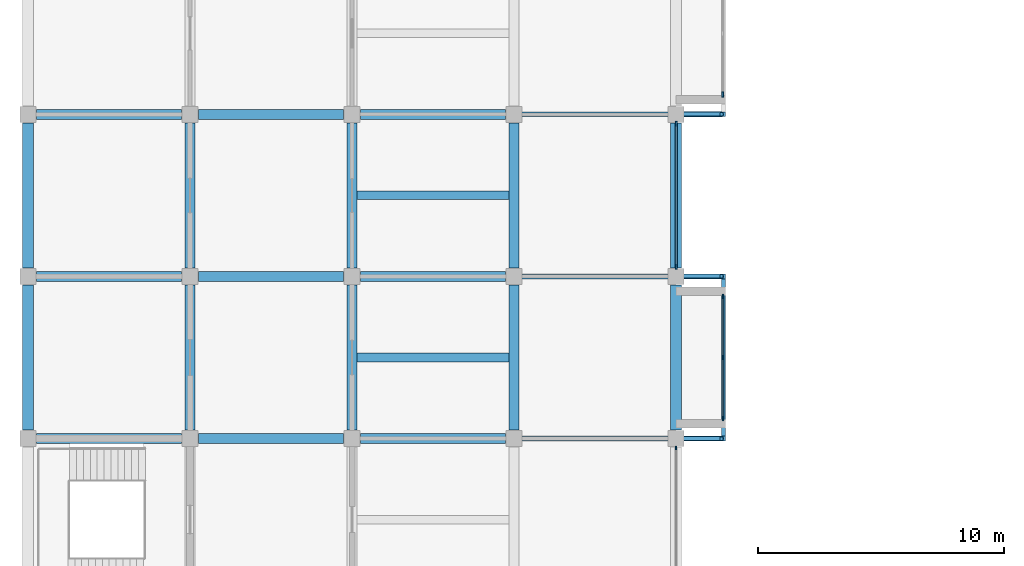
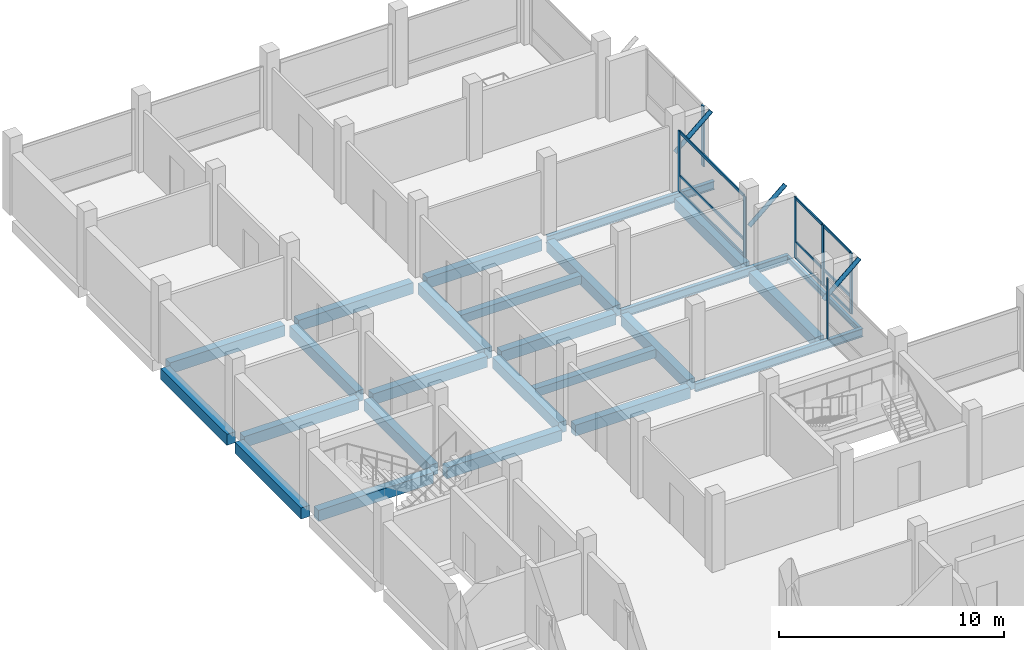
# One storey, part 4 of 10: 25 beams, 19 members, 4 elements without a shape of their own.
"""IFC4 building model written with IfcOpenShell, lengths in metres."""

from ifc_helpers import new_model, si_unit, direction, frame, origin, origin_2d, place, context, subcontext, project, spatial, rectangle, hollow_circle, i_section, extrude, material, material_profile, profile_set, type_object, element, aggregate, save


model = new_model("IFC4")

# Units and contexts
model_context = context("Model", 3, precision=1e-05, world=origin(), true_north=direction((0.0, 1.0)))
body_context = subcontext(model_context, "Body", "Model", "MODEL_VIEW")
ifc_project = project(units=[si_unit("LENGTHUNIT", "METRE"), si_unit("AREAUNIT", "SQUARE_METRE"), si_unit("VOLUMEUNIT", "CUBIC_METRE"), si_unit("PLANEANGLEUNIT", "RADIAN"), si_unit("MASSUNIT", "GRAM", prefix="KILO")], contexts=[model_context])

# Site, building, storey
site_placement = place(None, origin())
site = spatial("IfcSite", under=ifc_project, at=site_placement, CompositionType="ELEMENT")
building_placement = place(site_placement, origin())
building = spatial("IfcBuilding", under=site, at=building_placement, Name="Rusizi Kubbe Research Institute", CompositionType="ELEMENT")
storey_placement = place(building_placement, frame((0.0, 0.0, 52.199951171875)))
storey = spatial("IfcBuildingStorey", under=building, at=storey_placement, Name="L12", CompositionType="ELEMENT", Elevation=52.199951171875)

# Beams
ifc_material_1 = material(Name="Steel S355", Category="steel")
ifc_material_profile_1 = material_profile(ifc_material_1, i_section(OverallWidth=0.14990234375, OverallDepth=0.300048828125, WebThickness=0.007080078125, FlangeThickness=0.0107421875, at=origin_2d()), Name="IPE 300")
ifc_profile_set_1 = profile_set([ifc_material_profile_1], Name="Steel S355")
beam_type_1 = type_object("IfcBeamType", Name="BM-IPE300", PredefinedType="BEAM", material=ifc_profile_set_1)
beam_1_placement = place(storey_placement, frame((28.324951171875, 33.094970703125, -0.4599609375), z_axis=(0.0, 1.0, 0.0), x_axis=(-1.0, 0.0, 0.0)))
element("IfcBeam", 1, at=beam_1_placement, inside=storey, type_object=beam_type_1, Name="Cumba Edge Tie Beam L12-1", PredefinedType="BEAM", context=body_context, shape_type="SweptSolid", body=[
    extrude(i_section(OverallWidth=0.14990234375, OverallDepth=0.300048828125, WebThickness=0.007080078125, FlangeThickness=0.0107421875, at=origin_2d()), origin(), (0.0, 0.0, 1.0), 6.409912109375),
])
ifc_material_2 = material(Name="Steel S355", Category="steel")
ifc_material_profile_2 = material_profile(ifc_material_2, i_section(OverallWidth=0.18994140625, OverallDepth=0.449951171875, WebThickness=0.009521484375, FlangeThickness=0.0146484375, at=origin_2d()), Name="IPE 450")
ifc_profile_set_2 = profile_set([ifc_material_profile_2], Name="Steel S355")
beam_type_2 = type_object("IfcBeamType", Name="BM-IPE450", PredefinedType="BEAM", material=ifc_profile_set_2)
for number, where, z_axis, x_axis, name in (
    (2, (19.800048828125, 33.0, -0.534912109375), (1.0, 0.0, 0.0), (0.0, 1.0, 0.0), "Cumba Back-Spanned Cantilever Beam L12-1S"),
    (3, (19.800048828125, 39.60009765625, -0.534912109375), (1.0, 0.0, 0.0), (0.0, 1.0, 0.0), "Cumba Back-Spanned Cantilever Beam L12-1N"),
    (4, (19.800048828125, 46.199951171875, -0.534912109375), (1.0, 0.0, 0.0), (0.0, 1.0, 0.0), "Cumba Back-Spanned Cantilever Beam L12-2S"),
):
    element("IfcBeam", number, at=place(storey_placement, frame(where, z_axis=z_axis, x_axis=x_axis)), inside=storey, type_object=beam_type_2, Name=name, PredefinedType="BEAM", context=body_context, shape_type="SweptSolid", body=[
        extrude(i_section(OverallWidth=0.18994140625, OverallDepth=0.449951171875, WebThickness=0.009521484375, FlangeThickness=0.0146484375, at=origin_2d()), origin(), (0.0, 0.0, 1.0), 8.599853515625),
    ])
ifc_material_3 = material(Name="Concrete C40/50", Category="concrete")
ifc_material_profile_3 = material_profile(ifc_material_3, rectangle(XDim=0.35009765625, YDim=0.449951171875, at=origin_2d()), Name="RC350x450")
ifc_profile_set_3 = profile_set([ifc_material_profile_3], Name="Concrete C40/50")
beam_type_3 = type_object("IfcBeamType", Name="BM-RC350x450", PredefinedType="JOIST", material=ifc_profile_set_3)
for number, where, z_axis, x_axis, name in (
    (5, (13.39990234375, 36.300048828125, -0.534912109375), (1.0, 0.0, 0.0), (0.0, 1.0, 0.0), "Lab Stiffener Joist L12 (2,5)"),
    (6, (13.39990234375, 42.89990234375, -0.534912109375), (1.0, 0.0, 0.0), (0.0, 1.0, 0.0), "Lab Stiffener Joist L12 (2,6)"),
):
    element("IfcBeam", number, at=place(storey_placement, frame(where, z_axis=z_axis, x_axis=x_axis)), inside=storey, type_object=beam_type_3, Name=name, PredefinedType="JOIST", context=body_context, shape_type="SweptSolid", body=[
        extrude(rectangle(XDim=0.35009765625, YDim=0.449951171875, at=origin_2d()), origin(), (0.0, 0.0, 1.0), 6.2001953125),
    ])
ifc_material_4 = material(Name="Concrete C40/50", Category="concrete")
ifc_material_profile_4 = material_profile(ifc_material_4, rectangle(XDim=0.39990234375, YDim=0.60009765625, at=origin_2d()), Name="RC400x600")
ifc_profile_set_4 = profile_set([ifc_material_profile_4], Name="Concrete C40/50")
beam_type_4 = type_object("IfcBeamType", Name="BM-RC400x600", PredefinedType="BEAM", material=ifc_profile_set_4)
for number, where, z_axis, x_axis, name in (
    (7, (0.35009765625, 33.0, -0.60986328125), (1.0, 0.0, 0.0), (0.0, 1.0, 0.0), "Grid Beam H L12 (0,5)"),
    (8, (0.35009765625, 39.60009765625, -0.60986328125), (1.0, 0.0, 0.0), (0.0, 1.0, 0.0), "Grid Beam H L12 (0,6)"),
    (9, (0.35009765625, 46.199951171875, -0.60986328125), (1.0, 0.0, 0.0), (0.0, 1.0, 0.0), "Grid Beam H L12 (0,7)"),
):
    element("IfcBeam", number, at=place(storey_placement, frame(where, z_axis=z_axis, x_axis=x_axis)), inside=storey, type_object=beam_type_4, Name=name, PredefinedType="BEAM", context=body_context, shape_type="SweptSolid", body=[
        extrude(rectangle(XDim=0.39990234375, YDim=0.60009765625, at=origin_2d()), origin(), (0.0, 0.0, 1.0), 5.89990234375),
    ])
for number, where, z_axis, x_axis, name in (
    (10, (6.949951171875, 33.0, -0.60986328125), (1.0, 0.0, 0.0), (0.0, 1.0, 0.0), "Grid Beam H L12 (1,5)"),
    (11, (6.949951171875, 39.60009765625, -0.60986328125), (1.0, 0.0, 0.0), (0.0, 1.0, 0.0), "Grid Beam H L12 (1,6)"),
    (12, (6.949951171875, 46.199951171875, -0.60986328125), (1.0, 0.0, 0.0), (0.0, 1.0, 0.0), "Grid Beam H L12 (1,7)"),
):
    element("IfcBeam", number, at=place(storey_placement, frame(where, z_axis=z_axis, x_axis=x_axis)), inside=storey, type_object=beam_type_4, Name=name, PredefinedType="BEAM", context=body_context, shape_type="SweptSolid", body=[
        extrude(rectangle(XDim=0.39990234375, YDim=0.60009765625, at=origin_2d()), origin(), (0.0, 0.0, 1.0), 5.900146484375),
    ])
for number, where, z_axis, x_axis, name in (
    (13, (13.550048828125, 33.0, -0.60986328125), (1.0, 0.0, 0.0), (0.0, 1.0, 0.0), "Grid Beam H L12 (2,5)"),
    (14, (13.550048828125, 39.60009765625, -0.60986328125), (1.0, 0.0, 0.0), (0.0, 1.0, 0.0), "Grid Beam H L12 (2,6)"),
    (15, (13.550048828125, 46.199951171875, -0.60986328125), (1.0, 0.0, 0.0), (0.0, 1.0, 0.0), "Grid Beam H L12 (2,7)"),
    (16, (6.60009765625, 33.35009765625, -0.60986328125), (0.0, 1.0, 0.0), (-1.0, 0.0, 0.0), "Grid Beam V L12 (1,5)"),
):
    element("IfcBeam", number, at=place(storey_placement, frame(where, z_axis=z_axis, x_axis=x_axis)), inside=storey, type_object=beam_type_4, Name=name, PredefinedType="BEAM", context=body_context, shape_type="SweptSolid", body=[
        extrude(rectangle(XDim=0.39990234375, YDim=0.60009765625, at=origin_2d()), origin(), (0.0, 0.0, 1.0), 5.89990234375),
    ])
beam_2_placement = place(storey_placement, frame((6.60009765625, 39.949951171875, -0.60986328125), z_axis=(0.0, 1.0, 0.0), x_axis=(-1.0, 0.0, 0.0)))
element("IfcBeam", 17, at=beam_2_placement, inside=storey, type_object=beam_type_4, Name="Grid Beam V L12 (1,6)", PredefinedType="BEAM", context=body_context, shape_type="SweptSolid", body=[
    extrude(rectangle(XDim=0.39990234375, YDim=0.60009765625, at=origin_2d()), origin(), (0.0, 0.0, 1.0), 5.900146484375),
])
beam_3_placement = place(storey_placement, frame((13.199951171875, 33.35009765625, -0.60986328125), z_axis=(0.0, 1.0, 0.0), x_axis=(-1.0, 0.0, 0.0)))
element("IfcBeam", 18, at=beam_3_placement, inside=storey, type_object=beam_type_4, Name="Grid Beam V L12 (2,5)", PredefinedType="BEAM", context=body_context, shape_type="SweptSolid", body=[
    extrude(rectangle(XDim=0.39990234375, YDim=0.60009765625, at=origin_2d()), origin(), (0.0, 0.0, 1.0), 5.89990234375),
])
beam_4_placement = place(storey_placement, frame((13.199951171875, 39.949951171875, -0.60986328125), z_axis=(0.0, 1.0, 0.0), x_axis=(-1.0, 0.0, 0.0)))
element("IfcBeam", 19, at=beam_4_placement, inside=storey, type_object=beam_type_4, Name="Grid Beam V L12 (2,6)", PredefinedType="BEAM", context=body_context, shape_type="SweptSolid", body=[
    extrude(rectangle(XDim=0.39990234375, YDim=0.60009765625, at=origin_2d()), origin(), (0.0, 0.0, 1.0), 5.900146484375),
])
beam_5_placement = place(storey_placement, frame((19.800048828125, 33.35009765625, -0.60986328125), z_axis=(0.0, 1.0, 0.0), x_axis=(-1.0, 0.0, 0.0)))
element("IfcBeam", 20, at=beam_5_placement, inside=storey, type_object=beam_type_4, Name="Grid Beam V L12 (3,5)", PredefinedType="BEAM", context=body_context, shape_type="SweptSolid", body=[
    extrude(rectangle(XDim=0.39990234375, YDim=0.60009765625, at=origin_2d()), origin(), (0.0, 0.0, 1.0), 5.89990234375),
])
beam_6_placement = place(storey_placement, frame((19.800048828125, 39.949951171875, -0.60986328125), z_axis=(0.0, 1.0, 0.0), x_axis=(-1.0, 0.0, 0.0)))
element("IfcBeam", 21, at=beam_6_placement, inside=storey, type_object=beam_type_4, Name="Grid Beam V L12 (3,6)", PredefinedType="BEAM", context=body_context, shape_type="SweptSolid", body=[
    extrude(rectangle(XDim=0.39990234375, YDim=0.60009765625, at=origin_2d()), origin(), (0.0, 0.0, 1.0), 5.900146484375),
])
ifc_material_5 = material(Name="Concrete C40/50", Category="concrete")
ifc_material_profile_5 = material_profile(ifc_material_5, rectangle(XDim=0.449951171875, YDim=0.60009765625, at=origin_2d()), Name="RC450x600")
ifc_profile_set_5 = profile_set([ifc_material_profile_5], Name="Concrete C40/50")
beam_type_5 = type_object("IfcBeamType", Name="BM-RC450x600", PredefinedType="SPANDREL", material=ifc_profile_set_5)
beam_7_placement = place(storey_placement, frame((0.0, 33.35009765625, -0.60986328125), z_axis=(0.0, 1.0, 0.0), x_axis=(-1.0, 0.0, 0.0)))
element("IfcBeam", 22, at=beam_7_placement, inside=storey, type_object=beam_type_5, Name="Grid Beam V L12 (0,5)", PredefinedType="SPANDREL", context=body_context, shape_type="SweptSolid", body=[
    extrude(rectangle(XDim=0.449951171875, YDim=0.60009765625, at=origin_2d()), origin(), (0.0, 0.0, 1.0), 5.89990234375),
])
beam_8_placement = place(storey_placement, frame((0.0, 39.949951171875, -0.60986328125), z_axis=(0.0, 1.0, 0.0), x_axis=(-1.0, 0.0, 0.0)))
element("IfcBeam", 23, at=beam_8_placement, inside=storey, type_object=beam_type_5, Name="Grid Beam V L12 (0,6)", PredefinedType="SPANDREL", context=body_context, shape_type="SweptSolid", body=[
    extrude(rectangle(XDim=0.449951171875, YDim=0.60009765625, at=origin_2d()), origin(), (0.0, 0.0, 1.0), 5.900146484375),
])
beam_9_placement = place(storey_placement, frame((26.39990234375, 33.35009765625, -0.60986328125), z_axis=(0.0, 1.0, 0.0), x_axis=(-1.0, 0.0, 0.0)))
element("IfcBeam", 24, at=beam_9_placement, inside=storey, type_object=beam_type_5, Name="Grid Beam V L12 (4,5)", PredefinedType="SPANDREL", context=body_context, shape_type="SweptSolid", body=[
    extrude(rectangle(XDim=0.449951171875, YDim=0.60009765625, at=origin_2d()), origin(), (0.0, 0.0, 1.0), 5.89990234375),
])
beam_10_placement = place(storey_placement, frame((26.39990234375, 39.949951171875, -0.60986328125), z_axis=(0.0, 1.0, 0.0), x_axis=(-1.0, 0.0, 0.0)))
element("IfcBeam", 25, at=beam_10_placement, inside=storey, type_object=beam_type_5, Name="Grid Beam V L12 (4,6)", PredefinedType="SPANDREL", context=body_context, shape_type="SweptSolid", body=[
    extrude(rectangle(XDim=0.449951171875, YDim=0.60009765625, at=origin_2d()), origin(), (0.0, 0.0, 1.0), 5.900146484375),
])

# Members
ifc_material_6 = material(Name="Steel S355", Category="steel")
ifc_material_profile_6 = material_profile(ifc_material_6, hollow_circle(Radius=0.109619140625, WallThickness=0.008056640625, at=origin_2d()), Name="CHS 219.1x8.0")
ifc_profile_set_6 = profile_set([ifc_material_profile_6], Name="Steel S355")
member_type_1 = type_object("IfcMemberType", Name="MB-CHS219", PredefinedType="BRACE", material=ifc_profile_set_6)
for number, where, z_axis, x_axis, name in (
    (26, (26.39990234375, 33.0, 1.900146484375), (0.756409887843, 0.0, 0.654097914362), (0.0, 1.0, 0.0), "Cumba Diagonal Corbel Brace L13-1S"),
    (27, (26.39990234375, 39.60009765625, 1.900146484375), (0.756409887843, 0.0, 0.654097914362), (0.0, 1.0, 0.0), "Cumba Diagonal Corbel Brace L13-1N"),
    (28, (26.39990234375, 46.199951171875, 1.900146484375), (0.756409887843, 0.0, 0.654097914362), (0.0, 1.0, 0.0), "Cumba Diagonal Corbel Brace L13-2S"),
):
    element("IfcMember", number, at=place(storey_placement, frame(where, z_axis=z_axis, x_axis=x_axis)), inside=storey, type_object=member_type_1, Name=name, PredefinedType="BRACE", context=body_context, shape_type="SweptSolid", body=[
        extrude(hollow_circle(Radius=0.109619140625, WallThickness=0.008056640625, at=origin_2d()), origin(), (0.0, 0.0, 1.0), 2.44580078125),
    ])

# Curtain wall, member
ifc_material_7 = material(Name="Thermally Broken Aluminium and Low-E Glazing", Category="aluminium")
curtain_wall_type_1 = type_object("IfcCurtainWallType", Name="CW-15", PredefinedType="NOTDEFINED", material=ifc_material_7)
curtain_wall_1_placement = place(storey_placement, origin())
curtain_wall_1 = element("IfcCurtainWall", 29, at=curtain_wall_1_placement, inside=storey, type_object=curtain_wall_type_1, Name="Unitised Facade Curtain Wall CW-L12-V-04-04", PredefinedType="NOTDEFINED")
ifc_material_8 = material(Name="Aluminium Alloy 6063-T6", Category="aluminium")
ifc_material_profile_7 = material_profile(ifc_material_8, rectangle(XDim=0.06005859375, YDim=0.14990234375, at=origin_2d()), Name="ALU-M 60x150")
ifc_profile_set_7 = profile_set([ifc_material_profile_7], Name="Aluminium Alloy 6063-T6")
member_type_2 = type_object("IfcMemberType", Name="ML-01", PredefinedType="MULLION", material=ifc_profile_set_7)
member_1_placement = place(storey_placement, frame((26.39990234375, 32.614990234375, 0.0), z_axis=(0.0, 0.0, 1.0), x_axis=(-1.0, 0.0, 0.0)))
member_1 = element("IfcMember", 30, at=member_1_placement, type_object=member_type_2, Name="CW-15 mullion 2", PredefinedType="MULLION", context=body_context, shape_type="SweptSolid", body=[
    extrude(rectangle(XDim=0.06005859375, YDim=0.14990234375, at=origin_2d()), origin(), (0.0, 0.0, 1.0), 3.300048828125),
])
aggregate(curtain_wall_1, [member_1])

# Curtain wall, members
ifc_material_9 = material(Name="Thermally Broken Aluminium and Low-E Glazing", Category="aluminium")
curtain_wall_type_2 = type_object("IfcCurtainWallType", Name="CW-04", PredefinedType="NOTDEFINED", material=ifc_material_9)
curtain_wall_2_placement = place(storey_placement, origin())
curtain_wall_2 = element("IfcCurtainWall", 31, at=curtain_wall_2_placement, inside=storey, type_object=curtain_wall_type_2, Name="Cumba Glazed Curtain Wall CW-CUMBA-L12-133", PredefinedType="NOTDEFINED")
ifc_material_10 = material(Name="Aluminium Alloy 6063-T6", Category="aluminium")
ifc_material_profile_8 = material_profile(ifc_material_10, rectangle(XDim=0.06005859375, YDim=0.179931640625, at=origin_2d()), Name="ALU-M 60x180")
ifc_profile_set_8 = profile_set([ifc_material_profile_8], Name="Aluminium Alloy 6063-T6")
member_type_3 = type_object("IfcMemberType", Name="ML-02", PredefinedType="MULLION", material=ifc_profile_set_8)
member_2_placement = place(storey_placement, frame((28.300048828125, 33.8125, 0.0), z_axis=(0.0, 0.0, 1.0), x_axis=(-1.0, 0.0, 0.0)))
member_2 = element("IfcMember", 32, at=member_2_placement, type_object=member_type_3, Name="CW-04 mullion 1", PredefinedType="MULLION", context=body_context, shape_type="SweptSolid", body=[
    extrude(rectangle(XDim=0.06005859375, YDim=0.179931640625, at=origin_2d()), origin(), (0.0, 0.0, 1.0), 3.300048828125),
])
member_3_placement = place(storey_placement, frame((28.300048828125, 36.300048828125, 0.0), z_axis=(0.0, 0.0, 1.0), x_axis=(-1.0, 0.0, 0.0)))
member_3 = element("IfcMember", 33, at=member_3_placement, type_object=member_type_3, Name="CW-04 mullion 2", PredefinedType="MULLION", context=body_context, shape_type="SweptSolid", body=[
    extrude(rectangle(XDim=0.06005859375, YDim=0.179931640625, at=origin_2d()), origin(), (0.0, 0.0, 1.0), 3.300048828125),
])
member_4_placement = place(storey_placement, frame((28.300048828125, 38.78759765625, 0.0), z_axis=(0.0, 0.0, 1.0), x_axis=(-1.0, 0.0, 0.0)))
member_4 = element("IfcMember", 34, at=member_4_placement, type_object=member_type_3, Name="CW-04 mullion 3", PredefinedType="MULLION", context=body_context, shape_type="SweptSolid", body=[
    extrude(rectangle(XDim=0.06005859375, YDim=0.179931640625, at=origin_2d()), origin(), (0.0, 0.0, 1.0), 3.300048828125),
])

ifc_material_11 = material(Name="Thermally Broken Aluminium and Low-E Glazing", Category="aluminium")
curtain_wall_type_3 = type_object("IfcCurtainWallType", Name="CW-14", PredefinedType="NOTDEFINED", material=ifc_material_11)
curtain_wall_3_placement = place(storey_placement, origin())
curtain_wall_3 = element("IfcCurtainWall", 35, at=curtain_wall_3_placement, inside=storey, type_object=curtain_wall_type_3, Name="Unitised Facade Curtain Wall CW-L12-V-04-06", PredefinedType="NOTDEFINED")
ifc_material_12 = material(Name="Aluminium Alloy 6063-T6", Category="aluminium")
ifc_material_profile_9 = material_profile(ifc_material_12, rectangle(XDim=0.06494140625, YDim=0.199951171875, at=origin_2d()), Name="ALU-M 65x200")
ifc_profile_set_9 = profile_set([ifc_material_profile_9], Name="Aluminium Alloy 6063-T6")
member_type_4 = type_object("IfcMemberType", Name="ML-03", PredefinedType="MULLION", material=ifc_profile_set_9)
member_5_placement = place(storey_placement, frame((26.39990234375, 39.987548828125, 0.0), z_axis=(0.0, 0.0, 1.0), x_axis=(-1.0, 0.0, 0.0)))
member_5 = element("IfcMember", 36, at=member_5_placement, type_object=member_type_4, Name="CW-14 mullion 1", PredefinedType="MULLION", context=body_context, shape_type="SweptSolid", body=[
    extrude(rectangle(XDim=0.06494140625, YDim=0.199951171875, at=origin_2d()), origin(), (0.0, 0.0, 1.0), 3.300048828125),
])
member_6_placement = place(storey_placement, frame((26.39990234375, 45.8125, 0.0), z_axis=(0.0, 0.0, 1.0), x_axis=(-1.0, 0.0, 0.0)))
member_6 = element("IfcMember", 37, at=member_6_placement, type_object=member_type_4, Name="CW-14 mullion 2", PredefinedType="MULLION", context=body_context, shape_type="SweptSolid", body=[
    extrude(rectangle(XDim=0.06494140625, YDim=0.199951171875, at=origin_2d()), origin(), (0.0, 0.0, 1.0), 3.300048828125),
])

# Curtain wall, member
curtain_wall_4_placement = place(storey_placement, origin())
curtain_wall_4 = element("IfcCurtainWall", 38, at=curtain_wall_4_placement, inside=storey, type_object=curtain_wall_type_2, Name="Cumba Glazed Curtain Wall CW-CUMBA-L12-135", PredefinedType="NOTDEFINED")
ifc_material_13 = material(Name="Aluminium Alloy 6063-T6", Category="aluminium")
ifc_material_profile_10 = material_profile(ifc_material_13, rectangle(XDim=0.070068359375, YDim=0.219970703125, at=origin_2d()), Name="ALU-M 70x220")
ifc_profile_set_10 = profile_set([ifc_material_profile_10], Name="Aluminium Alloy 6063-T6")
member_type_5 = type_object("IfcMemberType", Name="ML-04", PredefinedType="MULLION", material=ifc_profile_set_10)
member_7_placement = place(storey_placement, frame((28.300048828125, 47.017578125, 0.0), z_axis=(0.0, 0.0, 1.0), x_axis=(-1.0, 0.0, 0.0)))
member_7 = element("IfcMember", 39, at=member_7_placement, type_object=member_type_5, Name="CW-04 mullion 1", PredefinedType="MULLION", context=body_context, shape_type="SweptSolid", body=[
    extrude(rectangle(XDim=0.070068359375, YDim=0.219970703125, at=origin_2d()), origin(), (0.0, 0.0, 1.0), 3.300048828125),
])
aggregate(curtain_wall_4, [member_7])

# Member
ifc_material_14 = material(Name="Aluminium Alloy 6063-T6", Category="aluminium")
ifc_material_profile_11 = material_profile(ifc_material_14, rectangle(XDim=0.06005859375, YDim=0.139892578125, at=origin_2d()), Name="ALU-T 60x140")
ifc_profile_set_11 = profile_set([ifc_material_profile_11], Name="Aluminium Alloy 6063-T6")
member_type_6 = type_object("IfcMemberType", Name="TR-02", PredefinedType="USERDEFINED", material=ifc_profile_set_11)
member_8_placement = place(storey_placement, frame((28.300048828125, 33.842529296875, 0.030029296875), z_axis=(0.0, 1.0, 0.0), x_axis=(-1.0, 0.0, 0.0)))
member_8 = element("IfcMember", 40, at=member_8_placement, type_object=member_type_6, Name="CW-04 transom 1.1", ObjectType="TRANSOM", PredefinedType="USERDEFINED", context=body_context, shape_type="SweptSolid", body=[
    extrude(rectangle(XDim=0.06005859375, YDim=0.139892578125, at=origin_2d()), origin(), (0.0, 0.0, 1.0), 2.427490234375),
])

member_9_placement = place(storey_placement, frame((28.300048828125, 33.842529296875, 0.900146484375), z_axis=(0.0, 1.0, 0.0), x_axis=(-1.0, 0.0, 0.0)))
member_9 = element("IfcMember", 41, at=member_9_placement, type_object=member_type_6, Name="CW-04 transom 1.2", ObjectType="TRANSOM", PredefinedType="USERDEFINED", context=body_context, shape_type="SweptSolid", body=[
    extrude(rectangle(XDim=0.06005859375, YDim=0.139892578125, at=origin_2d()), origin(), (0.0, 0.0, 1.0), 2.427490234375),
])

member_10_placement = place(storey_placement, frame((28.300048828125, 33.842529296875, 3.27001953125), z_axis=(0.0, 1.0, 0.0), x_axis=(-1.0, 0.0, 0.0)))
member_10 = element("IfcMember", 42, at=member_10_placement, type_object=member_type_6, Name="CW-04 transom 1.3", ObjectType="TRANSOM", PredefinedType="USERDEFINED", context=body_context, shape_type="SweptSolid", body=[
    extrude(rectangle(XDim=0.06005859375, YDim=0.139892578125, at=origin_2d()), origin(), (0.0, 0.0, 1.0), 2.427490234375),
])

member_11_placement = place(storey_placement, frame((28.300048828125, 36.330078125, 0.030029296875), z_axis=(0.0, 1.0, 0.0), x_axis=(-1.0, 0.0, 0.0)))
member_11 = element("IfcMember", 43, at=member_11_placement, type_object=member_type_6, Name="CW-04 transom 2.1", ObjectType="TRANSOM", PredefinedType="USERDEFINED", context=body_context, shape_type="SweptSolid", body=[
    extrude(rectangle(XDim=0.06005859375, YDim=0.139892578125, at=origin_2d()), origin(), (0.0, 0.0, 1.0), 2.427490234375),
])

member_12_placement = place(storey_placement, frame((28.300048828125, 36.330078125, 0.900146484375), z_axis=(0.0, 1.0, 0.0), x_axis=(-1.0, 0.0, 0.0)))
member_12 = element("IfcMember", 44, at=member_12_placement, type_object=member_type_6, Name="CW-04 transom 2.2", ObjectType="TRANSOM", PredefinedType="USERDEFINED", context=body_context, shape_type="SweptSolid", body=[
    extrude(rectangle(XDim=0.06005859375, YDim=0.139892578125, at=origin_2d()), origin(), (0.0, 0.0, 1.0), 2.427490234375),
])

member_13_placement = place(storey_placement, frame((28.300048828125, 36.330078125, 3.27001953125), z_axis=(0.0, 1.0, 0.0), x_axis=(-1.0, 0.0, 0.0)))
member_13 = element("IfcMember", 45, at=member_13_placement, type_object=member_type_6, Name="CW-04 transom 2.3", ObjectType="TRANSOM", PredefinedType="USERDEFINED", context=body_context, shape_type="SweptSolid", body=[
    extrude(rectangle(XDim=0.06005859375, YDim=0.139892578125, at=origin_2d()), origin(), (0.0, 0.0, 1.0), 2.427490234375),
])

aggregate(curtain_wall_2, [member_2, member_3, member_4, member_8, member_9, member_10, member_11, member_12, member_13])

ifc_material_15 = material(Name="Aluminium Alloy 6063-T6", Category="aluminium")
ifc_material_profile_12 = material_profile(ifc_material_15, rectangle(XDim=0.06494140625, YDim=0.159912109375, at=origin_2d()), Name="ALU-T 65x160")
ifc_profile_set_12 = profile_set([ifc_material_profile_12], Name="Aluminium Alloy 6063-T6")
member_type_7 = type_object("IfcMemberType", Name="TR-03", PredefinedType="USERDEFINED", material=ifc_profile_set_12)
member_14_placement = place(storey_placement, frame((26.39990234375, 40.02001953125, 0.032470703125), z_axis=(0.0, 1.0, 0.0), x_axis=(-1.0, 0.0, 0.0)))
member_14 = element("IfcMember", 46, at=member_14_placement, type_object=member_type_7, Name="CW-14 transom 1.1", ObjectType="TRANSOM", PredefinedType="USERDEFINED", context=body_context, shape_type="SweptSolid", body=[
    extrude(rectangle(XDim=0.06494140625, YDim=0.159912109375, at=origin_2d()), origin(), (0.0, 0.0, 1.0), 5.760009765625),
])

member_15_placement = place(storey_placement, frame((26.39990234375, 40.02001953125, 0.900146484375), z_axis=(0.0, 1.0, 0.0), x_axis=(-1.0, 0.0, 0.0)))
member_15 = element("IfcMember", 47, at=member_15_placement, type_object=member_type_7, Name="CW-14 transom 1.2", ObjectType="TRANSOM", PredefinedType="USERDEFINED", context=body_context, shape_type="SweptSolid", body=[
    extrude(rectangle(XDim=0.06494140625, YDim=0.159912109375, at=origin_2d()), origin(), (0.0, 0.0, 1.0), 5.760009765625),
])

member_16_placement = place(storey_placement, frame((26.39990234375, 40.02001953125, 3.267578125), z_axis=(0.0, 1.0, 0.0), x_axis=(-1.0, 0.0, 0.0)))
member_16 = element("IfcMember", 48, at=member_16_placement, type_object=member_type_7, Name="CW-14 transom 1.3", ObjectType="TRANSOM", PredefinedType="USERDEFINED", context=body_context, shape_type="SweptSolid", body=[
    extrude(rectangle(XDim=0.06494140625, YDim=0.159912109375, at=origin_2d()), origin(), (0.0, 0.0, 1.0), 5.760009765625),
])

aggregate(curtain_wall_3, [member_5, member_6, member_14, member_15, member_16])

save(model, "model.ifc")
